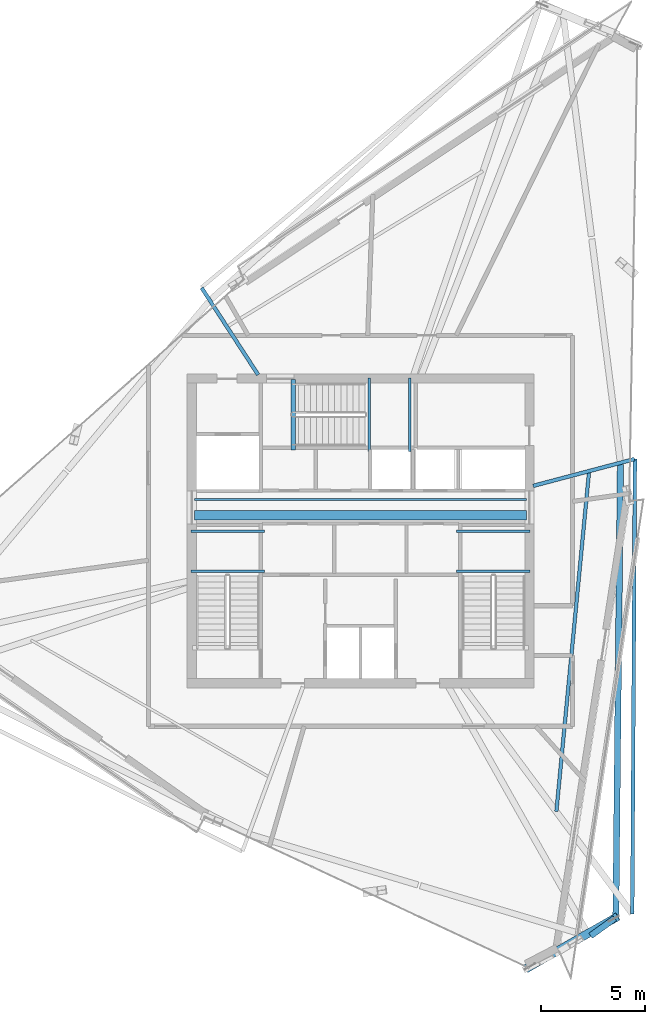
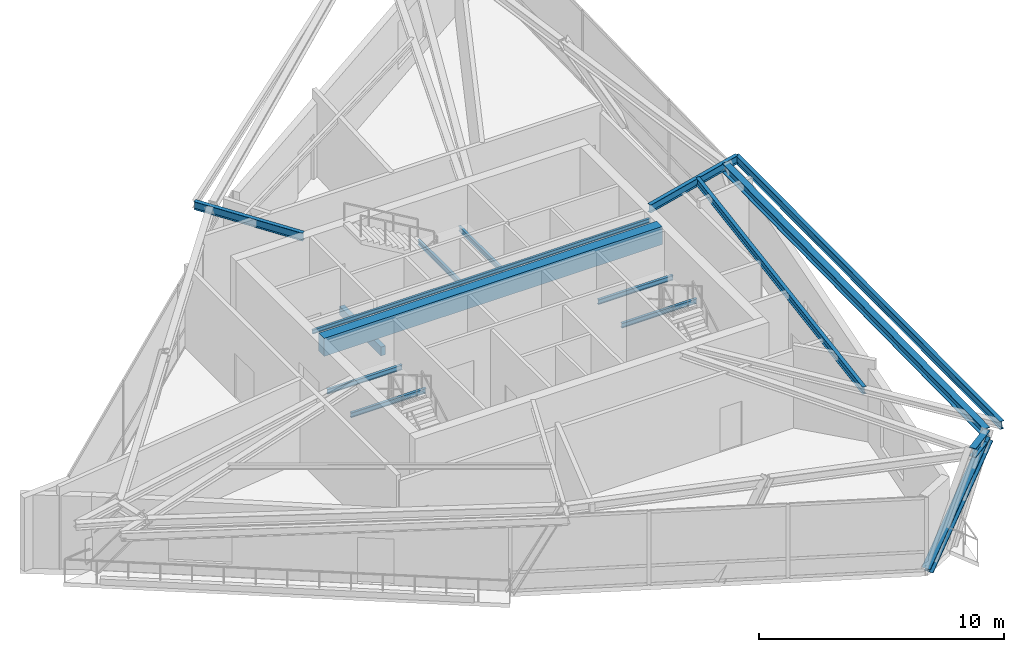
# One storey, part 9 of 22: 15 beams, 1 member.
"""IFC4 building model written with IfcOpenShell, lengths in metres."""

from ifc_helpers import new_model, si_unit, direction, frame, origin, origin_2d, place, context, subcontext, project, spatial, rectangle, i_section, extrude, source, transform, mapped, material, material_profile, profile_set, type_object, element, save


model = new_model("IFC4")

# Units and contexts
model_context = context("Model", 3, precision=1e-05, world=origin(), true_north=direction((0.0, 1.0)))
body_context = subcontext(model_context, "Body", "Model", "MODEL_VIEW")
ifc_project = project(units=[si_unit("LENGTHUNIT", "METRE"), si_unit("AREAUNIT", "SQUARE_METRE"), si_unit("VOLUMEUNIT", "CUBIC_METRE"), si_unit("PLANEANGLEUNIT", "RADIAN"), si_unit("MASSUNIT", "GRAM", prefix="KILO")], contexts=[model_context])

# Site, building, storey
site_placement = place(None, origin())
site = spatial("IfcSite", under=ifc_project, at=site_placement, CompositionType="ELEMENT")
building_placement = place(site_placement, origin())
building = spatial("IfcBuilding", under=site, at=building_placement, Name="Olszyna Solenne Hotel", CompositionType="ELEMENT")
storey_placement = place(building_placement, frame((0.0, 0.0, 286.10009765625)))
storey = spatial("IfcBuildingStorey", under=building, at=storey_placement, Name="L76", CompositionType="ELEMENT", Elevation=286.10009765625)

# Beams
ifc_material_1 = material(Name="Steel S355J2", Category="steel")
ifc_material_profile_1 = material_profile(ifc_material_1, i_section(OverallWidth=0.300048828125, OverallDepth=0.449951171875, WebThickness=0.013916015625, FlangeThickness=0.02587890625, at=origin_2d()), Name="HEB 450", Category="load-bearing")
ifc_profile_set_1 = profile_set([ifc_material_profile_1], Name="Steel S355J2")
beam_type_1 = type_object("IfcBeamType", Name="BM-S4", PredefinedType="BEAM", material=ifc_profile_set_1)
shared_shape_1 = source(origin(), body_context, "Body", "SweptSolid", [
    extrude(i_section(OverallWidth=0.300048828125, OverallDepth=0.449951171875, WebThickness=0.013916015625, FlangeThickness=0.02587890625, at=origin_2d()), origin(), (0.0, 0.0, 1.0), 1.43603515625),
])
beam_1_placement = place(storey_placement, frame((49.0654296875, 7.121826171875, 3.89501953125), z_axis=(0.811060086554, 0.584962850101, 0.0), x_axis=(-0.584962850101, 0.811060086554, 0.0)))
element("IfcBeam", 1, at=beam_1_placement, inside=storey, type_object=beam_type_1, Name="Perimeter spandrel beam BM-S4 B-L76-2232", PredefinedType="BEAM", context=body_context, shape_type="MappedRepresentation", body=[
    mapped(shared_shape_1, transform((0.0, 0.0, 0.0), x_axis=(1.0, 0.0, 0.0), y_axis=(0.0, 1.0, 0.0), z_axis=(0.0, 0.0, 1.0), scale=1.0)),
])
shared_shape_2 = source(origin(), body_context, "Body", "SweptSolid", [
    extrude(i_section(OverallWidth=0.300048828125, OverallDepth=0.449951171875, WebThickness=0.013916015625, FlangeThickness=0.02587890625, at=origin_2d()), origin(), (0.0, 0.0, 1.0), 21.74072265625),
])
beam_2_placement = place(storey_placement, frame((50.279541015625, 8.05712890625, 3.89501953125), z_axis=(0.010207789773, 0.999947899157, 0.0), x_axis=(-0.999947899157, 0.010207789773, 0.0)))
element("IfcBeam", 2, at=beam_2_placement, inside=storey, type_object=beam_type_1, Name="Perimeter spandrel beam BM-S4 B-L76-2233", PredefinedType="BEAM", context=body_context, shape_type="MappedRepresentation", body=[
    mapped(shared_shape_2, transform((0.0, 0.0, 0.0), x_axis=(1.0, 0.0, 0.0), y_axis=(0.0, 1.0, 0.0), z_axis=(0.0, 0.0, 1.0), scale=1.0)),
])
ifc_material_profile_2 = material_profile(ifc_material_1, i_section(OverallWidth=0.179931640625, OverallDepth=0.39990234375, WebThickness=0.008544921875, FlangeThickness=0.013427734375, at=origin_2d()), Name="IPE 400", Category="load-bearing")
ifc_profile_set_2 = profile_set([ifc_material_profile_2], Name="Steel S355J2")
beam_type_2 = type_object("IfcBeamType", Name="BM-F5", PredefinedType="BEAM", material=ifc_profile_set_2)
shared_shape_3 = source(origin(), body_context, "Body", "SweptSolid", [
    extrude(i_section(OverallWidth=0.179931640625, OverallDepth=0.39990234375, WebThickness=0.008544921875, FlangeThickness=0.013427734375, at=origin_2d()), origin(), (0.0, 0.0, 1.0), 4.98388671875),
])
beam_3_placement = place(storey_placement, frame((30.359130859375, 38.286865234375, 3.919921875), z_axis=(0.544974575765, -0.838452569779, 0.0), x_axis=(0.838452569779, 0.544974575765, 0.0)))
element("IfcBeam", 3, at=beam_3_placement, inside=storey, type_object=beam_type_2, Name="Radial floor girder BM-F5 B-L76-2238", PredefinedType="BEAM", context=body_context, shape_type="MappedRepresentation", body=[
    mapped(shared_shape_3, transform((0.0, 0.0, 0.0), x_axis=(1.0, 0.0, 0.0), y_axis=(0.0, 1.0, 0.0), z_axis=(0.0, 0.0, 1.0), scale=1.0)),
])
shared_shape_4 = source(origin(), body_context, "Body", "SweptSolid", [
    extrude(i_section(OverallWidth=0.179931640625, OverallDepth=0.39990234375, WebThickness=0.008544921875, FlangeThickness=0.013427734375, at=origin_2d()), origin(), (0.0, 0.0, 1.0), 5.046630859375),
])
beam_4_placement = place(storey_placement, frame((51.180419921875, 30.052490234375, 3.919921875), z_axis=(-0.96677558697, -0.255626611367, 0.0), x_axis=(0.255626611367, -0.96677558697, 0.0)))
element("IfcBeam", 4, at=beam_4_placement, inside=storey, type_object=beam_type_2, Name="Radial floor girder BM-F5 B-L76-2244", PredefinedType="BEAM", context=body_context, shape_type="MappedRepresentation", body=[
    mapped(shared_shape_4, transform((0.0, 0.0, 0.0), x_axis=(1.0, 0.0, 0.0), y_axis=(0.0, 1.0, 0.0), z_axis=(0.0, 0.0, 1.0), scale=1.0)),
])
ifc_material_profile_3 = material_profile(ifc_material_1, i_section(OverallWidth=0.169921875, OverallDepth=0.360107421875, WebThickness=0.008056640625, FlangeThickness=0.0126953125, at=origin_2d()), Name="IPE 360", Category="load-bearing")
ifc_profile_set_3 = profile_set([ifc_material_profile_3], Name="Steel S355J2")
beam_type_3 = type_object("IfcBeamType", Name="JS-01", PredefinedType="JOIST", material=ifc_profile_set_3)
shared_shape_5 = source(origin(), body_context, "Body", "SweptSolid", [
    extrude(i_section(OverallWidth=0.169921875, OverallDepth=0.360107421875, WebThickness=0.008056640625, FlangeThickness=0.0126953125, at=origin_2d()), origin(), (0.0, 0.0, 1.0), 16.42236328125),
])
beam_5_placement = place(storey_placement, frame((47.421142578125, 13.10791015625, 3.93994140625), z_axis=(0.095754047545, 0.995405024289, 0.0), x_axis=(-0.995405024289, 0.095754047545, 0.0)))
element("IfcBeam", 5, at=beam_5_placement, inside=storey, type_object=beam_type_3, Name="Secondary composite floor joist JS-01 B-L76-2248", PredefinedType="JOIST", context=body_context, shape_type="MappedRepresentation", body=[
    mapped(shared_shape_5, transform((0.0, 0.0, 0.0), x_axis=(1.0, 0.0, 0.0), y_axis=(0.0, 1.0, 0.0), z_axis=(0.0, 0.0, 1.0), scale=1.0)),
])
shared_shape_6 = source(origin(), body_context, "Body", "SweptSolid", [
    extrude(i_section(OverallWidth=0.179931640625, OverallDepth=0.39990234375, WebThickness=0.008544921875, FlangeThickness=0.013427734375, at=origin_2d()), origin(), (0.0, 0.0, 1.0), 21.882080078125),
])
beam_6_placement = place(storey_placement, frame((51.071044921875, 8.176025390625, 3.919921875), z_axis=(0.005879822934, 0.999982713692, 0.0), x_axis=(-0.999982713692, 0.005879822934, 0.0)))
element("IfcBeam", 6, at=beam_6_placement, inside=storey, type_object=beam_type_2, Name="Loggia outer edge beam BM-F5 B-L76-2251", PredefinedType="BEAM", context=body_context, shape_type="MappedRepresentation", body=[
    mapped(shared_shape_6, transform((0.0, 0.0, 0.0), x_axis=(1.0, 0.0, 0.0), y_axis=(0.0, 1.0, 0.0), z_axis=(0.0, 0.0, 1.0), scale=1.0)),
])

# Member
ifc_material_2 = material(Name="Steel S460M", Category="steel")
ifc_material_profile_4 = material_profile(ifc_material_2, i_section(OverallWidth=0.40087890625, OverallDepth=0.39892578125, WebThickness=0.02197265625, FlangeThickness=0.034423828125, at=origin_2d()), Name="HD 400x314", Category="load-bearing")
ifc_profile_set_4 = profile_set([ifc_material_profile_4], Name="Steel S460M")
member_type = type_object("IfcMemberType", Name="BR-T3", PredefinedType="BRACE", material=ifc_profile_set_4)
shared_shape_7 = source(origin(), body_context, "Body", "SweptSolid", [
    extrude(i_section(OverallWidth=0.40087890625, OverallDepth=0.39892578125, WebThickness=0.02197265625, FlangeThickness=0.034423828125, at=origin_2d()), origin(), (0.0, 0.0, 1.0), 6.092041015625),
])
member_placement = place(storey_placement, frame((46.0537109375, 5.588623046875, 0.010009765625), z_axis=(0.693541391946, 0.395341837024, 0.60225008888), x_axis=(-0.495225019939, 0.868764743545, 0.0)))
element("IfcMember", 7, at=member_placement, inside=storey, type_object=member_type, Name="Perimeter braced-tube diagonal BR-T3 BR-L76-3", PredefinedType="BRACE", context=body_context, shape_type="MappedRepresentation", body=[
    mapped(shared_shape_7, transform((0.0, 0.0, 0.0), x_axis=(1.0, 0.0, 0.0), y_axis=(0.0, 1.0, 0.0), z_axis=(0.0, 0.0, 1.0), scale=1.0)),
])

# Beams
ifc_material_3 = material(Name="Concrete C50/60", Category="concrete")
ifc_material_profile_5 = material_profile(ifc_material_3, rectangle(XDim=0.449951171875, YDim=0.89990234375, at=origin_2d()), Name="RC 900x450", Category="load-bearing")
ifc_profile_set_5 = profile_set([ifc_material_profile_5], Name="Concrete C50/60")
beam_type_4 = type_object("IfcBeamType", Name="CB-01", PredefinedType="LINTEL", material=ifc_profile_set_5)
shared_shape_8 = source(origin(), body_context, "Body", "SweptSolid", [
    extrude(rectangle(XDim=0.449951171875, YDim=0.89990234375, at=origin_2d()), origin(), (0.0, 0.0, 1.0), 15.9599609375),
])
beam_7_placement = place(storey_placement, frame((30.02001953125, 27.35009765625, 3.669921875), z_axis=(1.0, 0.0, 0.0), x_axis=(0.0, 1.0, 0.0)))
element("IfcBeam", 8, at=beam_7_placement, inside=storey, type_object=beam_type_4, Name="Core coupling lintel beam CB-01 L76", PredefinedType="LINTEL", context=body_context, shape_type="MappedRepresentation", body=[
    mapped(shared_shape_8, transform((0.0, 0.0, 0.0), x_axis=(1.0, 0.0, 0.0), y_axis=(0.0, 1.0, 0.0), z_axis=(0.0, 0.0, 1.0), scale=1.0)),
])
ifc_material_profile_6 = material_profile(ifc_material_1, i_section(OverallWidth=0.10009765625, OverallDepth=0.199951171875, WebThickness=0.005615234375, FlangeThickness=0.008544921875, at=origin_2d()), Name="IPE 200", Category="load-bearing")
ifc_profile_set_6 = profile_set([ifc_material_profile_6], Name="Steel S355J2")
beam_type_5 = type_object("IfcBeamType", Name="LN-01", PredefinedType="LINTEL", material=ifc_profile_set_6)
shared_shape_9 = source(origin(), body_context, "Body", "SweptSolid", [
    extrude(i_section(OverallWidth=0.10009765625, OverallDepth=0.199951171875, WebThickness=0.005615234375, FlangeThickness=0.008544921875, at=origin_2d()), origin(), (0.0, 0.0, 1.0), 15.9599609375),
])
beam_8_placement = place(storey_placement, frame((30.02001953125, 28.10009765625, 3.869873046875), z_axis=(1.0, 0.0, 0.0), x_axis=(0.0, 1.0, 0.0)))
element("IfcBeam", 9, at=beam_8_placement, inside=storey, type_object=beam_type_5, Name="Opening steel lintel LN-01 L76", PredefinedType="LINTEL", context=body_context, shape_type="MappedRepresentation", body=[
    mapped(shared_shape_9, transform((0.0, 0.0, 0.0), x_axis=(1.0, 0.0, 0.0), y_axis=(0.0, 1.0, 0.0), z_axis=(0.0, 0.0, 1.0), scale=1.0)),
])
ifc_material_profile_7 = material_profile(ifc_material_1, i_section(OverallWidth=0.1201171875, OverallDepth=0.239990234375, WebThickness=0.006103515625, FlangeThickness=0.009765625, at=origin_2d()), Name="IPE 240", Category="load-bearing")
ifc_profile_set_7 = profile_set([ifc_material_profile_7], Name="Steel S355J2")
beam_type_6 = type_object("IfcBeamType", Name="JS-03", PredefinedType="JOIST", material=ifc_profile_set_7)
shared_shape_10 = source(origin(), body_context, "Body", "SweptSolid", [
    extrude(i_section(OverallWidth=0.1201171875, OverallDepth=0.239990234375, WebThickness=0.006103515625, FlangeThickness=0.009765625, at=origin_2d()), origin(), (0.0, 0.0, 1.0), 3.539794921875),
])
for number, where, z_axis, x_axis, name in (
    (10, (33.3798828125, 24.64990234375, 1.875), (-1.0, 0.0, 0.0), (0.0, -1.0, 0.0), "Stair landing support beam JS-03 SLB-ST1-0157"),
    (11, (33.3798828125, 26.580078125, 1.875), (-1.0, 0.0, 0.0), (0.0, -1.0, 0.0), "Stair landing support beam JS-03 SLB-ST1-0158"),
    (12, (46.159912109375, 24.64990234375, 1.875), (-1.0, 0.0, 0.0), (0.0, -1.0, 0.0), "Stair landing support beam JS-03 SLB-ST2-0397"),
    (13, (46.159912109375, 26.580078125, 1.875), (-1.0, 0.0, 0.0), (0.0, -1.0, 0.0), "Stair landing support beam JS-03 SLB-ST2-0398"),
):
    element("IfcBeam", number, at=place(storey_placement, frame(where, z_axis=z_axis, x_axis=x_axis)), inside=storey, type_object=beam_type_6, Name=name, PredefinedType="JOIST", context=body_context, shape_type="MappedRepresentation", body=[
        mapped(shared_shape_10, transform((0.0, 0.0, 0.0), x_axis=(1.0, 0.0, 0.0), y_axis=(0.0, 1.0, 0.0), z_axis=(0.0, 0.0, 1.0), scale=1.0)),
    ])
shared_shape_11 = source(origin(), body_context, "Body", "SweptSolid", [
    extrude(i_section(OverallWidth=0.1201171875, OverallDepth=0.239990234375, WebThickness=0.006103515625, FlangeThickness=0.009765625, at=origin_2d()), origin(), (0.0, 0.0, 1.0), 3.5400390625),
])
for number, where, z_axis, x_axis, name in (
    (14, (38.429931640625, 30.419921875, 1.875), (0.0, 1.0, 0.0), (-1.0, 0.0, 0.0), "Stair landing support beam JS-03 SLB-ST3-0637"),
    (15, (40.360107421875, 30.419921875, 1.875), (0.0, 1.0, 0.0), (-1.0, 0.0, 0.0), "Stair landing support beam JS-03 SLB-ST3-0638"),
):
    element("IfcBeam", number, at=place(storey_placement, frame(where, z_axis=z_axis, x_axis=x_axis)), inside=storey, type_object=beam_type_6, Name=name, PredefinedType="JOIST", context=body_context, shape_type="MappedRepresentation", body=[
        mapped(shared_shape_11, transform((0.0, 0.0, 0.0), x_axis=(1.0, 0.0, 0.0), y_axis=(0.0, 1.0, 0.0), z_axis=(0.0, 0.0, 1.0), scale=1.0)),
    ])
ifc_material_profile_8 = material_profile(ifc_material_3, rectangle(XDim=0.219970703125, YDim=0.43994140625, at=origin_2d()), Name="RC 220x440", Category="load-bearing")
ifc_profile_set_8 = profile_set([ifc_material_profile_8], Name="Concrete C50/60")
beam_type_7 = type_object("IfcBeamType", Name="BM-ST1", PredefinedType="BEAM", material=ifc_profile_set_8)
shared_shape_12 = source(origin(), body_context, "Body", "SweptSolid", [
    extrude(rectangle(XDim=0.219970703125, YDim=0.43994140625, at=origin_2d()), origin(), (0.0, 0.0, 1.0), 3.3798828125),
])
beam_9_placement = place(storey_placement, frame((34.760009765625, 30.5, -0.205078125), z_axis=(0.0, 1.0, 0.0), x_axis=(-1.0, 0.0, 0.0)))
element("IfcBeam", 16, at=beam_9_placement, inside=storey, type_object=beam_type_7, Name="Concrete stair trimmer beam BM-ST1 SHB-ST3-0716", PredefinedType="BEAM", context=body_context, shape_type="MappedRepresentation", body=[
    mapped(shared_shape_12, transform((0.0, 0.0, 0.0), x_axis=(1.0, 0.0, 0.0), y_axis=(0.0, 1.0, 0.0), z_axis=(0.0, 0.0, 1.0), scale=1.0)),
])

save(model, "model.ifc")
